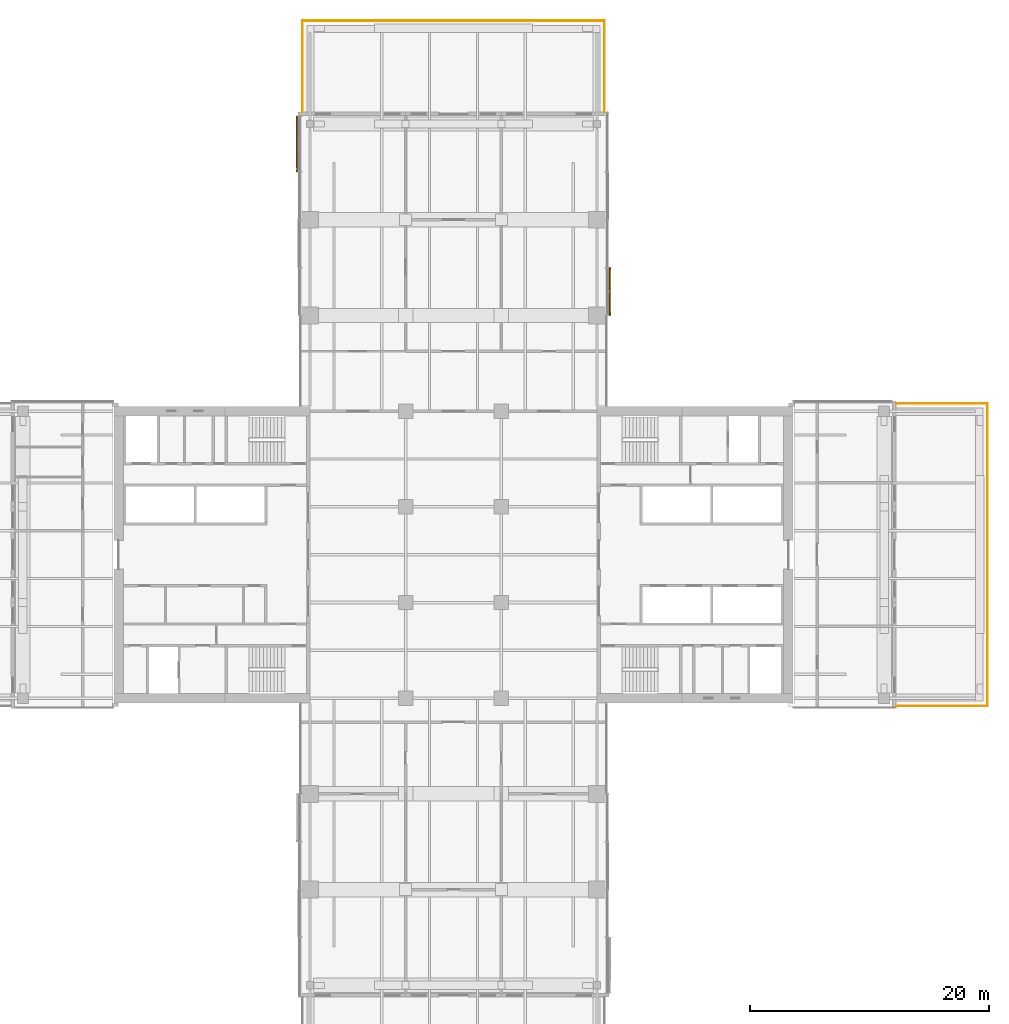
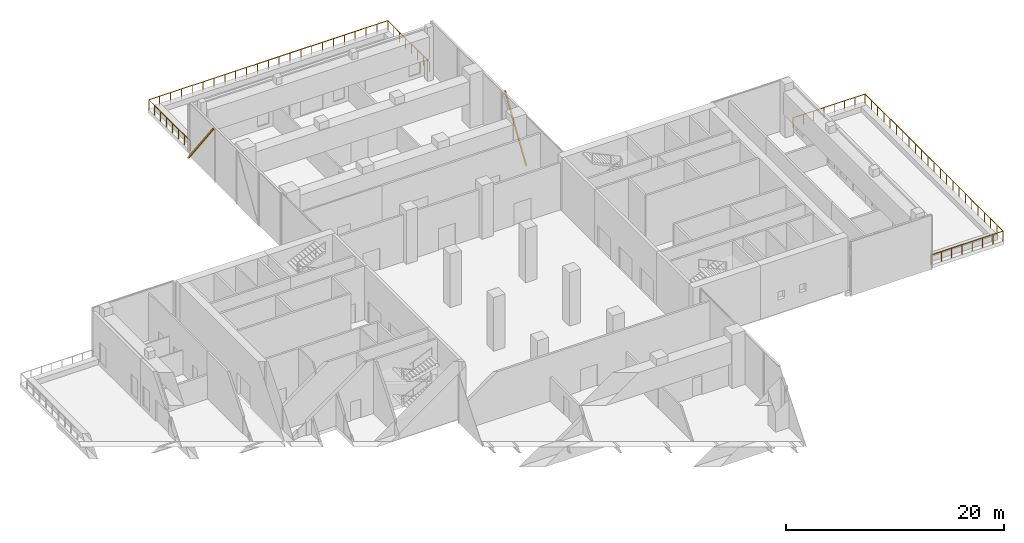
# One storey, part 23 of 23: 2 railings, 2 shading devices, 2 elements without a shape of their own.
"""IFC4 building model written with IfcOpenShell, lengths in metres."""

from ifc_helpers import new_model, si_unit, direction, frame, origin, origin_2d, place, context, subcontext, project, spatial, rectangle, circle, extrude, material, material_profile, profile_set, type_object, element, aggregate, save


model = new_model("IFC4")

# Units and contexts
model_context = context("Model", 3, precision=1e-05, world=origin(), true_north=direction((0.0, 1.0)))
body_context = subcontext(model_context, "Body", "Model", "MODEL_VIEW")
ifc_project = project(units=[si_unit("LENGTHUNIT", "METRE"), si_unit("AREAUNIT", "SQUARE_METRE"), si_unit("VOLUMEUNIT", "CUBIC_METRE"), si_unit("PLANEANGLEUNIT", "RADIAN"), si_unit("MASSUNIT", "GRAM", prefix="KILO")], contexts=[model_context])

# Site, building, storey
site_placement = place(None, origin())
site = spatial("IfcSite", under=ifc_project, at=site_placement, CompositionType="ELEMENT")
building_placement = place(site_placement, origin())
building = spatial("IfcBuilding", under=site, at=building_placement, Name="Crosswind Convention Tower", CompositionType="ELEMENT")
storey_placement = place(building_placement, frame((0.0, 0.0, 47.5)))
storey = spatial("IfcBuildingStorey", under=building, at=storey_placement, Name="L06", CompositionType="ELEMENT", Elevation=47.5)

# Railings
ifc_material_1 = material(Name="Steel and laminated glass guard", Category="steel")
railing_type = type_object("IfcRailingType", Name="TERRACE GUARD 1100", PredefinedType="GUARDRAIL", material=ifc_material_1)
railing_1_placement = place(storey_placement, frame((112.360107421875, 137.02490234375, 0.0)))
element("IfcRailing", 1, at=railing_1_placement, inside=storey, type_object=railing_type, Name="R10 terrace guard L06 N 1", PredefinedType="GUARDRAIL", context=body_context, shape_type="SweptSolid", body=[
    extrude(circle(Radius=0.02392578125, at=origin_2d()), frame((0.0, 0.0, 1.076171875), z_axis=(0.0, 1.0, 0.0), x_axis=(-1.0, 0.0, 0.0)), (0.0, 0.0, 1.0), 7.614990234375),
    extrude(circle(Radius=0.02392578125, at=origin_2d()), frame((0.0, 7.614990234375, 1.076171875), z_axis=(1.0, 0.0, 0.0), x_axis=(0.0, 1.0, 0.0)), (0.0, 0.0, 1.0), 25.27978515625),
    extrude(circle(Radius=0.02392578125, at=origin_2d()), frame((25.27978515625, 7.614990234375, 1.076171875), z_axis=(0.0, -1.0, 0.0), x_axis=(1.0, 0.0, 0.0)), (0.0, 0.0, 1.0), 7.614990234375),
    extrude(circle(Radius=0.02099609375, at=origin_2d()), origin(), (0.0, 0.0, 1.0), 1.052001953125),
    extrude(circle(Radius=0.02099609375, at=origin_2d()), frame((0.0, 1.087890625, 0.0)), (0.0, 0.0, 1.0), 1.052001953125),
    extrude(circle(Radius=0.02099609375, at=origin_2d()), frame((0.0, 2.17578125, 0.0)), (0.0, 0.0, 1.0), 1.052001953125),
    extrude(circle(Radius=0.02099609375, at=origin_2d()), frame((0.0, 3.263671875, 0.0)), (0.0, 0.0, 1.0), 1.052001953125),
    extrude(circle(Radius=0.02099609375, at=origin_2d()), frame((0.0, 4.351318359375, 0.0)), (0.0, 0.0, 1.0), 1.052001953125),
    extrude(circle(Radius=0.02099609375, at=origin_2d()), frame((0.0, 5.439208984375, 0.0)), (0.0, 0.0, 1.0), 1.052001953125),
    extrude(circle(Radius=0.02099609375, at=origin_2d()), frame((0.0, 6.527099609375, 0.0)), (0.0, 0.0, 1.0), 1.052001953125),
    extrude(circle(Radius=0.02099609375, at=origin_2d()), frame((0.0, 7.614990234375, 0.0)), (0.0, 0.0, 1.0), 1.052001953125),
    extrude(circle(Radius=0.02099609375, at=origin_2d()), frame((1.149169921875, 7.614990234375, 0.0)), (0.0, 0.0, 1.0), 1.052001953125),
    extrude(circle(Radius=0.02099609375, at=origin_2d()), frame((2.298095703125, 7.614990234375, 0.0)), (0.0, 0.0, 1.0), 1.052001953125),
    extrude(circle(Radius=0.02099609375, at=origin_2d()), frame((3.447265625, 7.614990234375, 0.0)), (0.0, 0.0, 1.0), 1.052001953125),
    extrude(circle(Radius=0.02099609375, at=origin_2d()), frame((4.596435546875, 7.614990234375, 0.0)), (0.0, 0.0, 1.0), 1.052001953125),
    extrude(circle(Radius=0.02099609375, at=origin_2d()), frame((5.745361328125, 7.614990234375, 0.0)), (0.0, 0.0, 1.0), 1.052001953125),
    extrude(circle(Radius=0.02099609375, at=origin_2d()), frame((6.89453125, 7.614990234375, 0.0)), (0.0, 0.0, 1.0), 1.052001953125),
    extrude(circle(Radius=0.02099609375, at=origin_2d()), frame((8.04345703125, 7.614990234375, 0.0)), (0.0, 0.0, 1.0), 1.052001953125),
    extrude(circle(Radius=0.02099609375, at=origin_2d()), frame((9.192626953125, 7.614990234375, 0.0)), (0.0, 0.0, 1.0), 1.052001953125),
    extrude(circle(Radius=0.02099609375, at=origin_2d()), frame((10.341796875, 7.614990234375, 0.0)), (0.0, 0.0, 1.0), 1.052001953125),
    extrude(circle(Radius=0.02099609375, at=origin_2d()), frame((11.49072265625, 7.614990234375, 0.0)), (0.0, 0.0, 1.0), 1.052001953125),
    extrude(circle(Radius=0.02099609375, at=origin_2d()), frame((12.639892578125, 7.614990234375, 0.0)), (0.0, 0.0, 1.0), 1.052001953125),
    extrude(circle(Radius=0.02099609375, at=origin_2d()), frame((13.7890625, 7.614990234375, 0.0)), (0.0, 0.0, 1.0), 1.052001953125),
    extrude(circle(Radius=0.02099609375, at=origin_2d()), frame((14.93798828125, 7.614990234375, 0.0)), (0.0, 0.0, 1.0), 1.052001953125),
    extrude(circle(Radius=0.02099609375, at=origin_2d()), frame((16.087158203125, 7.614990234375, 0.0)), (0.0, 0.0, 1.0), 1.052001953125),
    extrude(circle(Radius=0.02099609375, at=origin_2d()), frame((17.236328125, 7.614990234375, 0.0)), (0.0, 0.0, 1.0), 1.052001953125),
    extrude(circle(Radius=0.02099609375, at=origin_2d()), frame((18.38525390625, 7.614990234375, 0.0)), (0.0, 0.0, 1.0), 1.052001953125),
    extrude(circle(Radius=0.02099609375, at=origin_2d()), frame((19.534423828125, 7.614990234375, 0.0)), (0.0, 0.0, 1.0), 1.052001953125),
    extrude(circle(Radius=0.02099609375, at=origin_2d()), frame((20.683349609375, 7.614990234375, 0.0)), (0.0, 0.0, 1.0), 1.052001953125),
    extrude(circle(Radius=0.02099609375, at=origin_2d()), frame((21.83251953125, 7.614990234375, 0.0)), (0.0, 0.0, 1.0), 1.052001953125),
    extrude(circle(Radius=0.02099609375, at=origin_2d()), frame((22.981689453125, 7.614990234375, 0.0)), (0.0, 0.0, 1.0), 1.052001953125),
    extrude(circle(Radius=0.02099609375, at=origin_2d()), frame((24.130615234375, 7.614990234375, 0.0)), (0.0, 0.0, 1.0), 1.052001953125),
    extrude(circle(Radius=0.02099609375, at=origin_2d()), frame((25.27978515625, 7.614990234375, 0.0)), (0.0, 0.0, 1.0), 1.052001953125),
    extrude(circle(Radius=0.02099609375, at=origin_2d()), frame((25.27978515625, 6.527099609375, 0.0)), (0.0, 0.0, 1.0), 1.052001953125),
    extrude(circle(Radius=0.02099609375, at=origin_2d()), frame((25.27978515625, 5.439208984375, 0.0)), (0.0, 0.0, 1.0), 1.052001953125),
    extrude(circle(Radius=0.02099609375, at=origin_2d()), frame((25.27978515625, 4.351318359375, 0.0)), (0.0, 0.0, 1.0), 1.052001953125),
    extrude(circle(Radius=0.02099609375, at=origin_2d()), frame((25.27978515625, 3.263671875, 0.0)), (0.0, 0.0, 1.0), 1.052001953125),
    extrude(circle(Radius=0.02099609375, at=origin_2d()), frame((25.27978515625, 2.17578125, 0.0)), (0.0, 0.0, 1.0), 1.052001953125),
    extrude(circle(Radius=0.02099609375, at=origin_2d()), frame((25.27978515625, 1.087890625, 0.0)), (0.0, 0.0, 1.0), 1.052001953125),
    extrude(circle(Radius=0.02099609375, at=origin_2d()), frame((25.27978515625, 0.0, 0.0)), (0.0, 0.0, 1.0), 1.052001953125),
])
railing_2_placement = place(storey_placement, frame((162.02490234375, 112.639892578125, 0.0)))
element("IfcRailing", 2, at=railing_2_placement, inside=storey, type_object=railing_type, Name="R10 terrace guard L06 E 1", PredefinedType="GUARDRAIL", context=body_context, shape_type="SweptSolid", body=[
    extrude(circle(Radius=0.02392578125, at=origin_2d()), frame((0.0, 0.0, 1.076171875), z_axis=(1.0, 0.0, 0.0), x_axis=(0.0, 1.0, 0.0)), (0.0, 0.0, 1.0), 7.614990234375),
    extrude(circle(Radius=0.02392578125, at=origin_2d()), frame((7.614990234375, 0.0, 1.076171875), z_axis=(0.0, -1.0, 0.0), x_axis=(1.0, 0.0, 0.0)), (0.0, 0.0, 1.0), 25.27978515625),
    extrude(circle(Radius=0.02392578125, at=origin_2d()), frame((7.614990234375, -25.27978515625, 1.076171875), z_axis=(-1.0, 0.0, 0.0), x_axis=(0.0, -1.0, 0.0)), (0.0, 0.0, 1.0), 7.614990234375),
    extrude(circle(Radius=0.02099609375, at=origin_2d()), origin(), (0.0, 0.0, 1.0), 1.052001953125),
    extrude(circle(Radius=0.02099609375, at=origin_2d()), frame((1.087890625, 0.0, 0.0)), (0.0, 0.0, 1.0), 1.052001953125),
    extrude(circle(Radius=0.02099609375, at=origin_2d()), frame((2.17578125, 0.0, 0.0)), (0.0, 0.0, 1.0), 1.052001953125),
    extrude(circle(Radius=0.02099609375, at=origin_2d()), frame((3.263671875, 0.0, 0.0)), (0.0, 0.0, 1.0), 1.052001953125),
    extrude(circle(Radius=0.02099609375, at=origin_2d()), frame((4.351318359375, 0.0, 0.0)), (0.0, 0.0, 1.0), 1.052001953125),
    extrude(circle(Radius=0.02099609375, at=origin_2d()), frame((5.439208984375, 0.0, 0.0)), (0.0, 0.0, 1.0), 1.052001953125),
    extrude(circle(Radius=0.02099609375, at=origin_2d()), frame((6.527099609375, 0.0, 0.0)), (0.0, 0.0, 1.0), 1.052001953125),
    extrude(circle(Radius=0.02099609375, at=origin_2d()), frame((7.614990234375, 0.0, 0.0)), (0.0, 0.0, 1.0), 1.052001953125),
    extrude(circle(Radius=0.02099609375, at=origin_2d()), frame((7.614990234375, -1.149169921875, 0.0)), (0.0, 0.0, 1.0), 1.052001953125),
    extrude(circle(Radius=0.02099609375, at=origin_2d()), frame((7.614990234375, -2.298095703125, 0.0)), (0.0, 0.0, 1.0), 1.052001953125),
    extrude(circle(Radius=0.02099609375, at=origin_2d()), frame((7.614990234375, -3.447265625, 0.0)), (0.0, 0.0, 1.0), 1.052001953125),
    extrude(circle(Radius=0.02099609375, at=origin_2d()), frame((7.614990234375, -4.596435546875, 0.0)), (0.0, 0.0, 1.0), 1.052001953125),
    extrude(circle(Radius=0.02099609375, at=origin_2d()), frame((7.614990234375, -5.745361328125, 0.0)), (0.0, 0.0, 1.0), 1.052001953125),
    extrude(circle(Radius=0.02099609375, at=origin_2d()), frame((7.614990234375, -6.89453125, 0.0)), (0.0, 0.0, 1.0), 1.052001953125),
    extrude(circle(Radius=0.02099609375, at=origin_2d()), frame((7.614990234375, -8.04345703125, 0.0)), (0.0, 0.0, 1.0), 1.052001953125),
    extrude(circle(Radius=0.02099609375, at=origin_2d()), frame((7.614990234375, -9.192626953125, 0.0)), (0.0, 0.0, 1.0), 1.052001953125),
    extrude(circle(Radius=0.02099609375, at=origin_2d()), frame((7.614990234375, -10.341796875, 0.0)), (0.0, 0.0, 1.0), 1.052001953125),
    extrude(circle(Radius=0.02099609375, at=origin_2d()), frame((7.614990234375, -11.49072265625, 0.0)), (0.0, 0.0, 1.0), 1.052001953125),
    extrude(circle(Radius=0.02099609375, at=origin_2d()), frame((7.614990234375, -12.639892578125, 0.0)), (0.0, 0.0, 1.0), 1.052001953125),
    extrude(circle(Radius=0.02099609375, at=origin_2d()), frame((7.614990234375, -13.7890625, 0.0)), (0.0, 0.0, 1.0), 1.052001953125),
    extrude(circle(Radius=0.02099609375, at=origin_2d()), frame((7.614990234375, -14.93798828125, 0.0)), (0.0, 0.0, 1.0), 1.052001953125),
    extrude(circle(Radius=0.02099609375, at=origin_2d()), frame((7.614990234375, -16.087158203125, 0.0)), (0.0, 0.0, 1.0), 1.052001953125),
    extrude(circle(Radius=0.02099609375, at=origin_2d()), frame((7.614990234375, -17.236328125, 0.0)), (0.0, 0.0, 1.0), 1.052001953125),
    extrude(circle(Radius=0.02099609375, at=origin_2d()), frame((7.614990234375, -18.38525390625, 0.0)), (0.0, 0.0, 1.0), 1.052001953125),
    extrude(circle(Radius=0.02099609375, at=origin_2d()), frame((7.614990234375, -19.534423828125, 0.0)), (0.0, 0.0, 1.0), 1.052001953125),
    extrude(circle(Radius=0.02099609375, at=origin_2d()), frame((7.614990234375, -20.683349609375, 0.0)), (0.0, 0.0, 1.0), 1.052001953125),
    extrude(circle(Radius=0.02099609375, at=origin_2d()), frame((7.614990234375, -21.83251953125, 0.0)), (0.0, 0.0, 1.0), 1.052001953125),
    extrude(circle(Radius=0.02099609375, at=origin_2d()), frame((7.614990234375, -22.981689453125, 0.0)), (0.0, 0.0, 1.0), 1.052001953125),
    extrude(circle(Radius=0.02099609375, at=origin_2d()), frame((7.614990234375, -24.130615234375, 0.0)), (0.0, 0.0, 1.0), 1.052001953125),
    extrude(circle(Radius=0.02099609375, at=origin_2d()), frame((7.614990234375, -25.27978515625, 0.0)), (0.0, 0.0, 1.0), 1.052001953125),
    extrude(circle(Radius=0.02099609375, at=origin_2d()), frame((6.527099609375, -25.27978515625, 0.0)), (0.0, 0.0, 1.0), 1.052001953125),
    extrude(circle(Radius=0.02099609375, at=origin_2d()), frame((5.439208984375, -25.27978515625, 0.0)), (0.0, 0.0, 1.0), 1.052001953125),
    extrude(circle(Radius=0.02099609375, at=origin_2d()), frame((4.351318359375, -25.27978515625, 0.0)), (0.0, 0.0, 1.0), 1.052001953125),
    extrude(circle(Radius=0.02099609375, at=origin_2d()), frame((3.263671875, -25.27978515625, 0.0)), (0.0, 0.0, 1.0), 1.052001953125),
    extrude(circle(Radius=0.02099609375, at=origin_2d()), frame((2.17578125, -25.27978515625, 0.0)), (0.0, 0.0, 1.0), 1.052001953125),
    extrude(circle(Radius=0.02099609375, at=origin_2d()), frame((1.087890625, -25.27978515625, 0.0)), (0.0, 0.0, 1.0), 1.052001953125),
    extrude(circle(Radius=0.02099609375, at=origin_2d()), frame((0.0, -25.27978515625, 0.0)), (0.0, 0.0, 1.0), 1.052001953125),
])

# Curtain wall, shading device
ifc_material_2 = material(Name="Aluminium unitised curtain wall", Category="aluminium")
curtain_wall_type = type_object("IfcCurtainWallType", Name="SKY LOBBY AND LOUNGE WALL 280", PredefinedType="USERDEFINED", material=ifc_material_2)
curtain_wall_1_placement = place(storey_placement, origin())
curtain_wall_1 = element("IfcCurtainWall", 3, at=curtain_wall_1_placement, inside=storey, type_object=curtain_wall_type, Name="CW4 L06 N-E 1", ObjectType="UNITISED", PredefinedType="USERDEFINED")
ifc_material_3 = material(Name="Extruded terracotta", Category="masonry")
ifc_material_profile = material_profile(ifc_material_3, rectangle(XDim=0.1298828125, YDim=0.14990234375, at=origin_2d()), Name="TC 130X150")
ifc_profile_set = profile_set([ifc_material_profile], Name="Extruded terracotta")
shading_device_type = type_object("IfcShadingDeviceType", Name="TERRACOTTA BAGUETTE 150X130", PredefinedType="USERDEFINED", material=ifc_profile_set)
shading_device_1_placement = place(storey_placement, frame((138.0869140625, 120.03759765625, -0.39990234375), z_axis=(0.0, 0.544559644323, 0.838722119522), x_axis=(-1.0, 0.0, 0.0)))
shading_device_1 = element("IfcShadingDevice", 4, at=shading_device_1_placement, type_object=shading_device_type, Name="CW4 terracotta baguette 1", ObjectType="BAGUETTE", PredefinedType="USERDEFINED", context=body_context, shape_type="SweptSolid", body=[
    extrude(rectangle(XDim=0.1298828125, YDim=0.14990234375, at=origin_2d()), origin(), (0.0, 0.0, 1.0), 7.207275390625),
])
aggregate(curtain_wall_1, [shading_device_1])

curtain_wall_2_placement = place(storey_placement, origin())
curtain_wall_2 = element("IfcCurtainWall", 5, at=curtain_wall_2_placement, inside=storey, type_object=curtain_wall_type, Name="CW4 L06 N-W 1", ObjectType="UNITISED", PredefinedType="USERDEFINED")
shading_device_2_placement = place(storey_placement, frame((111.9130859375, 136.625, -0.39990234375), z_axis=(0.0, -0.604520261666, 0.796589764707), x_axis=(1.0, 0.0, 0.0)))
shading_device_2 = element("IfcShadingDevice", 6, at=shading_device_2_placement, type_object=shading_device_type, Name="CW4 terracotta baguette 1", ObjectType="BAGUETTE", PredefinedType="USERDEFINED", context=body_context, shape_type="SweptSolid", body=[
    extrude(rectangle(XDim=0.1298828125, YDim=0.14990234375, at=origin_2d()), origin(), (0.0, 0.0, 1.0), 7.58837890625),
])
aggregate(curtain_wall_2, [shading_device_2])

save(model, "model.ifc")
